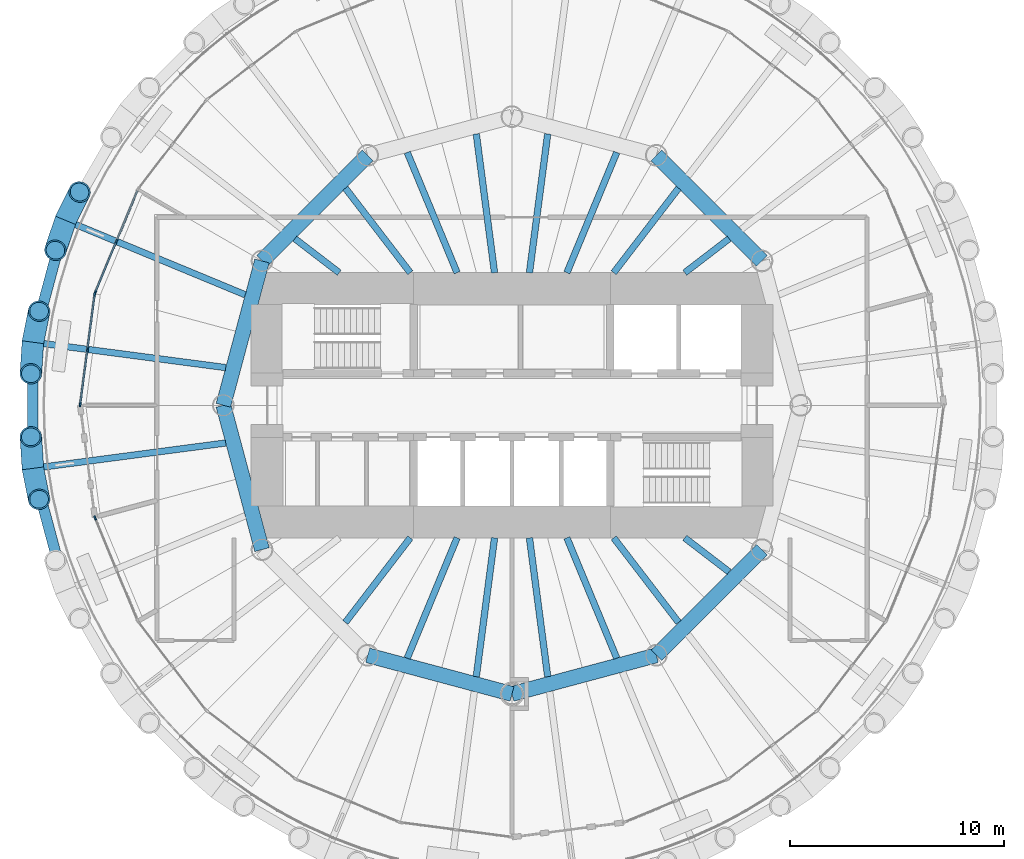
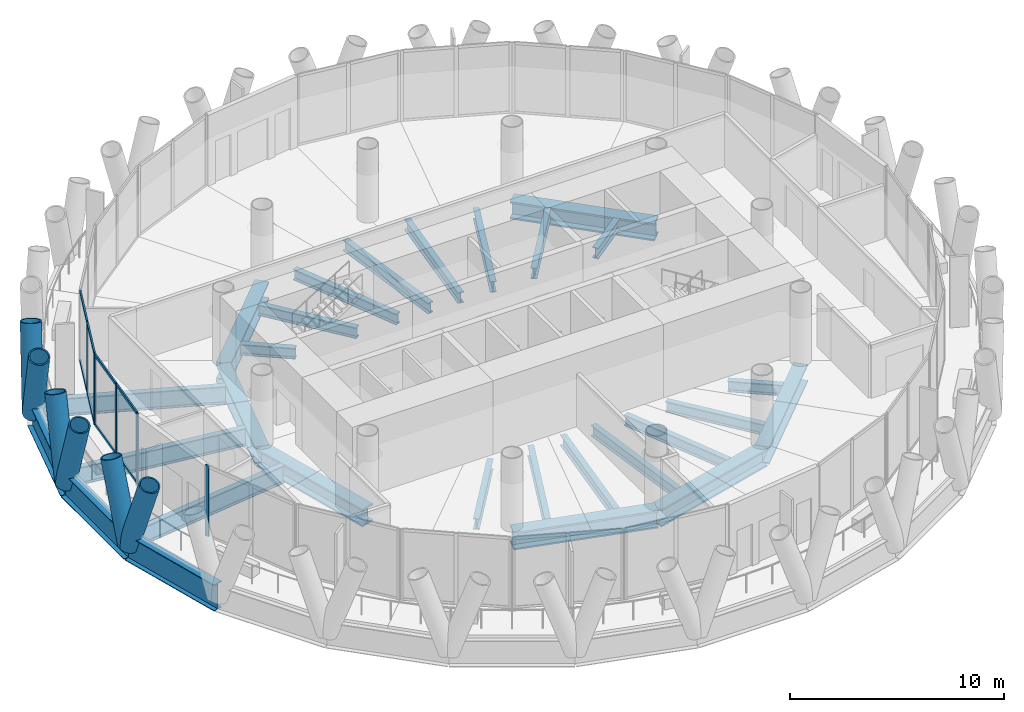
# One storey, part 3 of 13: 28 beams, 20 members, 3 elements without a shape of their own.
"""IFC4 building model written with IfcOpenShell, lengths in metres."""

from ifc_helpers import new_model, si_unit, direction, frame, origin, origin_2d, place, context, subcontext, project, spatial, rectangle, hollow_circle, i_section, extrude, material, material_profile, profile_set, type_object, element, aggregate, save


model = new_model("IFC4")

# Units and contexts
model_context = context("Model", 3, precision=1e-05, world=origin(), true_north=direction((0.0, 1.0)))
body_context = subcontext(model_context, "Body", "Model", "MODEL_VIEW")
ifc_project = project(units=[si_unit("LENGTHUNIT", "METRE"), si_unit("AREAUNIT", "SQUARE_METRE"), si_unit("VOLUMEUNIT", "CUBIC_METRE"), si_unit("PLANEANGLEUNIT", "RADIAN"), si_unit("MASSUNIT", "GRAM", prefix="KILO")], contexts=[model_context])

# Site, building, storey
site_placement = place(None, origin())
site = spatial("IfcSite", under=ifc_project, at=site_placement, CompositionType="ELEMENT")
building_placement = place(site_placement, origin())
building = spatial("IfcBuilding", under=site, at=building_placement, Name="Qaws Media Tower", CompositionType="ELEMENT")
storey_placement = place(building_placement, frame((0.0, 0.0, 219.199951171875)))
storey = spatial("IfcBuildingStorey", under=building, at=storey_placement, Name="L50", CompositionType="ELEMENT", Elevation=219.199951171875)

# Curtain wall, members
ifc_material_1 = material(Name="Aluminium and clear glass", Category="aluminium")
curtain_wall_type = type_object("IfcCurtainWallType", Name="Unitised curtain wall CW-C", PredefinedType="NOTDEFINED", material=ifc_material_1)
curtain_wall_1_placement = place(storey_placement, origin())
curtain_wall_1 = element("IfcCurtainWall", 1, at=curtain_wall_1_placement, inside=storey, type_object=curtain_wall_type, Name="CWC curtain wall L50-11", PredefinedType="NOTDEFINED")
ifc_material_2 = material(Name="Aluminium mullion", Category="aluminium")
ifc_material_profile_1 = material_profile(ifc_material_2, rectangle(XDim=0.080078125, YDim=0.199951171875, at=origin_2d()), Name="80x200")
ifc_profile_set_1 = profile_set([ifc_material_profile_1], Name="Aluminium mullion")
member_type_1 = type_object("IfcMemberType", Name="Curtain wall mullion 80x200", PredefinedType="MULLION", material=ifc_profile_set_1)
member_1_placement = place(storey_placement, frame((41.497314453125, 57.6640625, 0.0), z_axis=(0.0, 0.0, 1.0), x_axis=(0.923879493285, -0.382683527066, 0.0)))
member_1 = element("IfcMember", 2, at=member_1_placement, type_object=member_type_1, Name="CWC mullion 2", PredefinedType="MULLION", context=body_context, shape_type="SweptSolid", body=[
    extrude(rectangle(XDim=0.080078125, YDim=0.199951171875, at=origin_2d()), origin(), (0.0, 0.0, 1.0), 4.0400390625),
])
member_2_placement = place(storey_placement, frame((40.503662109375, 55.26513671875, 0.0), z_axis=(0.0, 0.0, 1.0), x_axis=(0.923879493285, -0.382683527066, 0.0)))
member_2 = element("IfcMember", 3, at=member_2_placement, type_object=member_type_1, Name="CWC mullion 3", PredefinedType="MULLION", context=body_context, shape_type="SweptSolid", body=[
    extrude(rectangle(XDim=0.080078125, YDim=0.199951171875, at=origin_2d()), origin(), (0.0, 0.0, 1.0), 4.0400390625),
])

curtain_wall_2_placement = place(storey_placement, origin())
curtain_wall_2 = element("IfcCurtainWall", 4, at=curtain_wall_2_placement, inside=storey, type_object=curtain_wall_type, Name="CWC curtain wall L50-12", PredefinedType="NOTDEFINED")
member_3_placement = place(storey_placement, frame((40.483154296875, 55.1884765625, 0.0), z_axis=(0.0, 0.0, 1.0), x_axis=(0.991444869889, -0.130526127538, 0.0)))
member_3 = element("IfcMember", 5, at=member_3_placement, type_object=member_type_1, Name="CWC mullion 1", PredefinedType="MULLION", context=body_context, shape_type="SweptSolid", body=[
    extrude(rectangle(XDim=0.080078125, YDim=0.199951171875, at=origin_2d()), origin(), (0.0, 0.0, 1.0), 4.0400390625),
])
member_4_placement = place(storey_placement, frame((40.14404296875, 52.614013671875, 0.0), z_axis=(0.0, 0.0, 1.0), x_axis=(0.991444869889, -0.130526127538, 0.0)))
member_4 = element("IfcMember", 6, at=member_4_placement, type_object=member_type_1, Name="CWC mullion 2", PredefinedType="MULLION", context=body_context, shape_type="SweptSolid", body=[
    extrude(rectangle(XDim=0.080078125, YDim=0.199951171875, at=origin_2d()), origin(), (0.0, 0.0, 1.0), 4.0400390625),
])
member_5_placement = place(storey_placement, frame((39.80517578125, 50.03955078125, 0.0), z_axis=(0.0, 0.0, 1.0), x_axis=(0.991444869889, -0.130526127538, 0.0)))
member_5 = element("IfcMember", 7, at=member_5_placement, type_object=member_type_1, Name="CWC mullion 3", PredefinedType="MULLION", context=body_context, shape_type="SweptSolid", body=[
    extrude(rectangle(XDim=0.080078125, YDim=0.199951171875, at=origin_2d()), origin(), (0.0, 0.0, 1.0), 4.0400390625),
])

# Curtain wall, member
curtain_wall_3_placement = place(storey_placement, origin())
curtain_wall_3 = element("IfcCurtainWall", 8, at=curtain_wall_3_placement, inside=storey, type_object=curtain_wall_type, Name="CWC curtain wall L50-14", PredefinedType="NOTDEFINED")
member_6_placement = place(storey_placement, frame((40.503662109375, 44.73486328125, 0.0), z_axis=(0.0, 0.0, 1.0), x_axis=(0.923879493285, 0.382683527066, 0.0)))
member_6 = element("IfcMember", 9, at=member_6_placement, type_object=member_type_1, Name="CWC mullion 1", PredefinedType="MULLION", context=body_context, shape_type="SweptSolid", body=[
    extrude(rectangle(XDim=0.080078125, YDim=0.199951171875, at=origin_2d()), origin(), (0.0, 0.0, 1.0), 4.0400390625),
])
aggregate(curtain_wall_3, [member_6])

# Member
ifc_material_3 = material(Name="Aluminium transom", Category="aluminium")
ifc_material_profile_2 = material_profile(ifc_material_3, rectangle(XDim=0.080078125, YDim=0.159912109375, at=origin_2d()), Name="80x160")
ifc_profile_set_2 = profile_set([ifc_material_profile_2], Name="Aluminium transom")
member_type_2 = type_object("IfcMemberType", Name="Curtain wall transom 80x160", PredefinedType="USERDEFINED", material=ifc_profile_set_2)
member_7_placement = place(storey_placement, frame((42.4755859375, 60.026123046875, 0.0400390625), z_axis=(-0.382603115355, -0.923912796816, 0.0), x_axis=(0.923912796816, -0.382603115355, 0.0)))
member_7 = element("IfcMember", 10, at=member_7_placement, type_object=member_type_2, Name="CWC transom 1.1", ObjectType="TRANSOM", PredefinedType="USERDEFINED", context=body_context, shape_type="SweptSolid", body=[
    extrude(rectangle(XDim=0.080078125, YDim=0.159912109375, at=origin_2d()), origin(), (0.0, 0.0, 1.0), 2.5166015625),
])

member_8_placement = place(storey_placement, frame((42.4755859375, 60.026123046875, 4.0), z_axis=(-0.382603115355, -0.923912796816, 0.0), x_axis=(0.923912796816, -0.382603115355, 0.0)))
member_8 = element("IfcMember", 11, at=member_8_placement, type_object=member_type_2, Name="CWC transom 1.2", ObjectType="TRANSOM", PredefinedType="USERDEFINED", context=body_context, shape_type="SweptSolid", body=[
    extrude(rectangle(XDim=0.080078125, YDim=0.159912109375, at=origin_2d()), origin(), (0.0, 0.0, 1.0), 2.5166015625),
])

member_9_placement = place(storey_placement, frame((41.48193359375, 57.627197265625, 0.0400390625), z_axis=(-0.382685918986, -0.923878502515, 0.0), x_axis=(0.923878502515, -0.382685918986, 0.0)))
member_9 = element("IfcMember", 12, at=member_9_placement, type_object=member_type_2, Name="CWC transom 2.1", ObjectType="TRANSOM", PredefinedType="USERDEFINED", context=body_context, shape_type="SweptSolid", body=[
    extrude(rectangle(XDim=0.080078125, YDim=0.159912109375, at=origin_2d()), origin(), (0.0, 0.0, 1.0), 2.516845703125),
])

member_10_placement = place(storey_placement, frame((41.48193359375, 57.627197265625, 4.0), z_axis=(-0.382685918986, -0.923878502515, 0.0), x_axis=(0.923878502515, -0.382685918986, 0.0)))
member_10 = element("IfcMember", 13, at=member_10_placement, type_object=member_type_2, Name="CWC transom 2.2", ObjectType="TRANSOM", PredefinedType="USERDEFINED", context=body_context, shape_type="SweptSolid", body=[
    extrude(rectangle(XDim=0.080078125, YDim=0.159912109375, at=origin_2d()), origin(), (0.0, 0.0, 1.0), 2.516845703125),
])

aggregate(curtain_wall_1, [member_1, member_2, member_7, member_8, member_9, member_10])

member_11_placement = place(storey_placement, frame((40.477783203125, 55.14892578125, 0.0400390625), z_axis=(-0.130479607238, -0.99145099329, 0.0), x_axis=(0.99145099329, -0.130479607238, 0.0)))
member_11 = element("IfcMember", 14, at=member_11_placement, type_object=member_type_2, Name="CWC transom 1.1", ObjectType="TRANSOM", PredefinedType="USERDEFINED", context=body_context, shape_type="SweptSolid", body=[
    extrude(rectangle(XDim=0.080078125, YDim=0.159912109375, at=origin_2d()), origin(), (0.0, 0.0, 1.0), 2.5166015625),
])

member_12_placement = place(storey_placement, frame((40.477783203125, 55.14892578125, 4.0), z_axis=(-0.130479607238, -0.99145099329, 0.0), x_axis=(0.99145099329, -0.130479607238, 0.0)))
member_12 = element("IfcMember", 15, at=member_12_placement, type_object=member_type_2, Name="CWC transom 1.2", ObjectType="TRANSOM", PredefinedType="USERDEFINED", context=body_context, shape_type="SweptSolid", body=[
    extrude(rectangle(XDim=0.080078125, YDim=0.159912109375, at=origin_2d()), origin(), (0.0, 0.0, 1.0), 2.5166015625),
])

member_13_placement = place(storey_placement, frame((40.138916015625, 52.574462890625, 0.0400390625), z_axis=(-0.130479607238, -0.99145099329, 0.0), x_axis=(0.99145099329, -0.130479607238, 0.0)))
member_13 = element("IfcMember", 16, at=member_13_placement, type_object=member_type_2, Name="CWC transom 2.1", ObjectType="TRANSOM", PredefinedType="USERDEFINED", context=body_context, shape_type="SweptSolid", body=[
    extrude(rectangle(XDim=0.080078125, YDim=0.159912109375, at=origin_2d()), origin(), (0.0, 0.0, 1.0), 2.5166015625),
])

member_14_placement = place(storey_placement, frame((40.138916015625, 52.574462890625, 4.0), z_axis=(-0.130479607238, -0.99145099329, 0.0), x_axis=(0.99145099329, -0.130479607238, 0.0)))
member_14 = element("IfcMember", 17, at=member_14_placement, type_object=member_type_2, Name="CWC transom 2.2", ObjectType="TRANSOM", PredefinedType="USERDEFINED", context=body_context, shape_type="SweptSolid", body=[
    extrude(rectangle(XDim=0.080078125, YDim=0.159912109375, at=origin_2d()), origin(), (0.0, 0.0, 1.0), 2.5166015625),
])

aggregate(curtain_wall_2, [member_3, member_4, member_5, member_11, member_12, member_13, member_14])

# Members
ifc_material_4 = material(Name="Steel S460", Category="steel")
ifc_material_profile_3 = material_profile(ifc_material_4, hollow_circle(Radius=0.508056640625, WallThickness=0.070068359375, at=origin_2d()), Name="CHS 1016x70")
ifc_profile_set_3 = profile_set([ifc_material_profile_3], Name="Steel S460")
member_type_3 = type_object("IfcMemberType", Name="Diagrid member CHS 1016x70", PredefinedType="USERDEFINED", material=ifc_profile_set_3)
for number, where, z_axis, x_axis, name in (
    (18, (39.120361328125, 58.648681640625, -0.909912109375), (-0.106375727673, -0.314466390826, 0.943289506781), (0.947269973366, -0.320436573379, 0.0), "DG3 diagrid L50 A11"),
    (19, (39.120361328125, 58.648681640625, -0.909912109375), (0.147170845427, 0.297576817485, 0.943286160161), (-0.896367681621, 0.44331137967, 0.0), "DG3 diagrid L50 B11"),
    (20, (37.59326171875, 52.949951171875, -0.909912109375), (-0.02132987385, -0.331298451935, 0.943284883918), (0.997933857984, -0.064249631042, 0.0), "DG3 diagrid L50 A12"),
    (21, (37.59326171875, 52.949951171875, -0.909912109375), (0.065142050269, 0.325490917844, 0.943298561267), (-0.980555253938, 0.196243201091, 0.0), "DG3 diagrid L50 B12"),
    (22, (37.59326171875, 47.050048828125, -0.909912109375), (0.065142050269, -0.325490917844, 0.943298561267), (0.980555253938, 0.196243201091, 0.0), "DG3 diagrid L50 A13"),
    (23, (37.59326171875, 47.050048828125, -0.909912109375), (-0.02132987385, 0.331298451935, 0.943284883918), (-0.997933857984, -0.064249631042, 0.0), "DG3 diagrid L50 B13"),
):
    element("IfcMember", number, at=place(storey_placement, frame(where, z_axis=z_axis, x_axis=x_axis)), inside=storey, type_object=member_type_3, Name=name, ObjectType="DIAGRID", PredefinedType="USERDEFINED", context=body_context, shape_type="SweptSolid", body=[
        extrude(hollow_circle(Radius=0.508056640625, WallThickness=0.070068359375, at=origin_2d()), origin(), (0.0, 0.0, 1.0), 4.452392578125),
    ])

# Beams
ifc_material_5 = material(Name="Steel S460", Category="steel")
ifc_material_profile_4 = material_profile(ifc_material_5, i_section(OverallWidth=0.5, OverallDepth=1.5, WebThickness=0.02001953125, FlangeThickness=0.0400390625, at=origin_2d()), Name="PG 1500x500")
ifc_profile_set_4 = profile_set([ifc_material_profile_4], Name="Steel S460")
beam_type_1 = type_object("IfcBeamType", Name="Edge ring beam PG 1500x500", PredefinedType="BEAM", material=ifc_profile_set_4)
for number, where, z_axis, x_axis, name in (
    (24, (39.120361328125, 58.648681640625, -0.909912109375), (-0.258839506001, -0.965920343576, 0.0), (0.965920343576, -0.258839506001, 0.0), "RB4 edge ring beam L50-11"),
    (25, (37.59326171875, 52.949951171875, -0.909912109375), (0.0, -1.0, 0.0), (1.0, 0.0, 0.0), "RB4 edge ring beam L50-12"),
    (26, (37.59326171875, 47.050048828125, -0.909912109375), (0.258839506001, -0.965920343576, 0.0), (0.965920343576, 0.258839506001, 0.0), "RB4 edge ring beam L50-13"),
):
    element("IfcBeam", number, at=place(storey_placement, frame(where, z_axis=z_axis, x_axis=x_axis)), inside=storey, type_object=beam_type_1, Name=name, PredefinedType="BEAM", context=body_context, shape_type="SweptSolid", body=[
        extrude(i_section(OverallWidth=0.5, OverallDepth=1.5, WebThickness=0.02001953125, FlangeThickness=0.0400390625, at=origin_2d()), origin(), (0.0, 0.0, 1.0), 5.89990234375),
    ])
ifc_material_6 = material(Name="Steel S460", Category="steel")
ifc_material_profile_5 = material_profile(ifc_material_6, i_section(OverallWidth=0.699951171875, OverallDepth=1.0, WebThickness=0.034912109375, FlangeThickness=0.090087890625, at=origin_2d()), Name="PG 1000x700")
ifc_profile_set_5 = profile_set([ifc_material_profile_5], Name="Steel S460")
beam_type_2 = type_object("IfcBeamType", Name="Inner ring girder PG 1000x700", PredefinedType="BEAM", material=ifc_profile_set_5)
for number, where, z_axis, x_axis, name in (
    (27, (71.69140625, 56.75, -0.659912109375), (-0.707106781187, 0.707106781187, 0.0), (-0.707106781187, -0.707106781187, 0.0), "B3 inner ring beam L50 I02-I03"),
    (28, (53.25, 61.69140625, -0.659912109375), (-0.707106781187, -0.707106781187, 0.0), (0.707106781187, -0.707106781187, 0.0), "B3 inner ring beam L50 I05-I06"),
):
    element("IfcBeam", number, at=place(storey_placement, frame(where, z_axis=z_axis, x_axis=x_axis)), inside=storey, type_object=beam_type_2, Name=name, PredefinedType="BEAM", context=body_context, shape_type="SweptSolid", body=[
        extrude(i_section(OverallWidth=0.699951171875, OverallDepth=1.0, WebThickness=0.034912109375, FlangeThickness=0.090087890625, at=origin_2d()), origin(), (0.0, 0.0, 1.0), 6.98828125),
    ])
for number, where, z_axis, x_axis, name in (
    (29, (48.30859375, 56.75, -0.659912109375), (-0.258810593767, -0.965928090778, 0.0), (0.965928090778, -0.258810593767, 0.0), "B3 inner ring beam L50 I06-I07"),
    (30, (46.5, 50.0, -0.659912109375), (0.258810593767, -0.965928090778, 0.0), (0.965928090778, 0.258810593767, 0.0), "B3 inner ring beam L50 I07-I08"),
    (31, (53.25, 38.30859375, -0.659912109375), (0.965928090778, -0.258810593767, 0.0), (0.258810593767, 0.965928090778, 0.0), "B3 inner ring beam L50 I09-I10"),
    (32, (60.0, 36.5, -0.659912109375), (0.965928090778, 0.258810593767, 0.0), (-0.258810593767, 0.965928090778, 0.0), "B3 inner ring beam L50 I10-I11"),
):
    element("IfcBeam", number, at=place(storey_placement, frame(where, z_axis=z_axis, x_axis=x_axis)), inside=storey, type_object=beam_type_2, Name=name, PredefinedType="BEAM", context=body_context, shape_type="SweptSolid", body=[
        extrude(i_section(OverallWidth=0.699951171875, OverallDepth=1.0, WebThickness=0.034912109375, FlangeThickness=0.090087890625, at=origin_2d()), origin(), (0.0, 0.0, 1.0), 6.988037109375),
    ])
beam_1_placement = place(storey_placement, frame((66.75, 38.30859375, -0.659912109375), z_axis=(0.707106781187, 0.707106781187, 0.0), x_axis=(-0.707106781187, 0.707106781187, 0.0)))
element("IfcBeam", 33, at=beam_1_placement, inside=storey, type_object=beam_type_2, Name="B3 inner ring beam L50 I11-I12", PredefinedType="BEAM", context=body_context, shape_type="SweptSolid", body=[
    extrude(i_section(OverallWidth=0.699951171875, OverallDepth=1.0, WebThickness=0.034912109375, FlangeThickness=0.090087890625, at=origin_2d()), origin(), (0.0, 0.0, 1.0), 6.98828125),
])
ifc_material_7 = material(Name="Steel S355", Category="steel")
ifc_material_profile_6 = material_profile(ifc_material_7, i_section(OverallWidth=0.302001953125, OverallDepth=1.008056640625, WebThickness=0.02099609375, FlangeThickness=0.0400390625, FilletRadius=0.030029296875, at=origin_2d()), Name="HE 1000 M")
ifc_profile_set_6 = profile_set([ifc_material_profile_6], Name="Steel S355")
beam_type_3 = type_object("IfcBeamType", Name="Radial beam HE 1000 M", PredefinedType="BEAM", material=ifc_profile_set_6)
beam_2_placement = place(storey_placement, frame((47.5224609375, 55.16845703125, -0.6640625), z_axis=(-0.923881048722, 0.382679771888, 0.0), x_axis=(-0.382679771888, -0.923881048722, 0.0)))
element("IfcBeam", 34, at=beam_2_placement, inside=storey, type_object=beam_type_3, Name="B1 radial beam L50 11", PredefinedType="BEAM", context=body_context, shape_type="SweptSolid", body=[
    extrude(i_section(OverallWidth=0.302001953125, OverallDepth=1.008056640625, WebThickness=0.02099609375, FlangeThickness=0.0400390625, FilletRadius=0.030029296875, at=origin_2d()), origin(), (0.0, 0.0, 1.0), 9.09423828125),
])
for number, where, z_axis, x_axis, name in (
    (35, (46.610107421875, 51.762939453125, -0.6640625), (-0.991445978877, 0.130517703661, 0.0), (-0.130517703661, -0.991445978877, 0.0), "B1 radial beam L50 12"),
    (36, (46.610107421875, 48.237060546875, -0.6640625), (-0.991445978877, -0.130517703661, 0.0), (0.130517703661, -0.991445978877, 0.0), "B1 radial beam L50 13"),
):
    element("IfcBeam", number, at=place(storey_placement, frame(where, z_axis=z_axis, x_axis=x_axis)), inside=storey, type_object=beam_type_3, Name=name, PredefinedType="BEAM", context=body_context, shape_type="SweptSolid", body=[
        extrude(i_section(OverallWidth=0.302001953125, OverallDepth=1.008056640625, WebThickness=0.02099609375, FlangeThickness=0.0400390625, FilletRadius=0.030029296875, at=origin_2d()), origin(), (0.0, 0.0, 1.0), 9.0947265625),
    ])
ifc_material_8 = material(Name="Steel S355", Category="steel")
ifc_material_profile_7 = material_profile(ifc_material_8, i_section(OverallWidth=0.304931640625, OverallDepth=0.6201171875, WebThickness=0.02099609375, FlangeThickness=0.0400390625, FilletRadius=0.027099609375, at=origin_2d()), Name="HE 600 M")
ifc_profile_set_7 = profile_set([ifc_material_profile_7], Name="Steel S355")
beam_type_4 = type_object("IfcBeamType", Name="Radial beam HE 600 M, core side", PredefinedType="BEAM", material=ifc_profile_set_7)
beam_3_placement = place(storey_placement, frame((68.080078125, 56.199951171875, -0.469970703125), z_axis=(0.793352321936, 0.608762756152, 0.0), x_axis=(-0.608762756152, 0.793352321936, 0.0)))
element("IfcBeam", 37, at=beam_3_placement, inside=storey, type_object=beam_type_4, Name="B2 radial beam L50 03", PredefinedType="BEAM", context=body_context, shape_type="SweptSolid", body=[
    extrude(i_section(OverallWidth=0.304931640625, OverallDepth=0.6201171875, WebThickness=0.02099609375, FlangeThickness=0.0400390625, FilletRadius=0.027099609375, at=origin_2d()), origin(), (0.0, 0.0, 1.0), 2.61474609375),
])
beam_4_placement = place(storey_placement, frame((64.75732421875, 56.199951171875, -0.469970703125), z_axis=(0.60875641792, 0.79335718541, 0.0), x_axis=(-0.79335718541, 0.60875641792, 0.0)))
element("IfcBeam", 38, at=beam_4_placement, inside=storey, type_object=beam_type_4, Name="B2 radial beam L50 04", PredefinedType="BEAM", context=body_context, shape_type="SweptSolid", body=[
    extrude(i_section(OverallWidth=0.304931640625, OverallDepth=0.6201171875, WebThickness=0.02099609375, FlangeThickness=0.0400390625, FilletRadius=0.027099609375, at=origin_2d()), origin(), (0.0, 0.0, 1.0), 4.984619140625),
])
beam_5_placement = place(storey_placement, frame((62.568115234375, 56.199951171875, -0.469970703125), z_axis=(0.38268703658, 0.923878039588, 0.0), x_axis=(-0.923878039588, 0.38268703658, 0.0)))
element("IfcBeam", 39, at=beam_5_placement, inside=storey, type_object=beam_type_4, Name="B2 radial beam L50 05", PredefinedType="BEAM", context=body_context, shape_type="SweptSolid", body=[
    extrude(i_section(OverallWidth=0.304931640625, OverallDepth=0.6201171875, WebThickness=0.02099609375, FlangeThickness=0.0400390625, FilletRadius=0.027099609375, at=origin_2d()), origin(), (0.0, 0.0, 1.0), 6.088623046875),
])
for number, where, z_axis, x_axis, name in (
    (40, (60.816162109375, 56.199951171875, -0.469970703125), (0.130536517951, 0.991443501911, 0.0), (-0.991443501911, 0.130536517951, 0.0), "B2 radial beam L50 06"),
    (41, (59.183837890625, 56.199951171875, -0.469970703125), (-0.130536517951, 0.991443501911, 0.0), (-0.991443501911, -0.130536517951, 0.0), "B2 radial beam L50 07"),
):
    element("IfcBeam", number, at=place(storey_placement, frame(where, z_axis=z_axis, x_axis=x_axis)), inside=storey, type_object=beam_type_4, Name=name, PredefinedType="BEAM", context=body_context, shape_type="SweptSolid", body=[
        extrude(i_section(OverallWidth=0.304931640625, OverallDepth=0.6201171875, WebThickness=0.02099609375, FlangeThickness=0.0400390625, FilletRadius=0.027099609375, at=origin_2d()), origin(), (0.0, 0.0, 1.0), 6.5458984375),
    ])
beam_6_placement = place(storey_placement, frame((57.431884765625, 56.199951171875, -0.469970703125), z_axis=(-0.38268703658, 0.923878039588, 0.0), x_axis=(-0.923878039588, -0.38268703658, 0.0)))
element("IfcBeam", 42, at=beam_6_placement, inside=storey, type_object=beam_type_4, Name="B2 radial beam L50 08", PredefinedType="BEAM", context=body_context, shape_type="SweptSolid", body=[
    extrude(i_section(OverallWidth=0.304931640625, OverallDepth=0.6201171875, WebThickness=0.02099609375, FlangeThickness=0.0400390625, FilletRadius=0.027099609375, at=origin_2d()), origin(), (0.0, 0.0, 1.0), 6.088623046875),
])
beam_7_placement = place(storey_placement, frame((55.24267578125, 56.199951171875, -0.469970703125), z_axis=(-0.60875641792, 0.79335718541, 0.0), x_axis=(-0.79335718541, -0.60875641792, 0.0)))
element("IfcBeam", 43, at=beam_7_placement, inside=storey, type_object=beam_type_4, Name="B2 radial beam L50 09", PredefinedType="BEAM", context=body_context, shape_type="SweptSolid", body=[
    extrude(i_section(OverallWidth=0.304931640625, OverallDepth=0.6201171875, WebThickness=0.02099609375, FlangeThickness=0.0400390625, FilletRadius=0.027099609375, at=origin_2d()), origin(), (0.0, 0.0, 1.0), 4.984619140625),
])
beam_8_placement = place(storey_placement, frame((51.919921875, 56.199951171875, -0.469970703125), z_axis=(-0.793352321936, 0.608762756152, 0.0), x_axis=(-0.608762756152, -0.793352321936, 0.0)))
element("IfcBeam", 44, at=beam_8_placement, inside=storey, type_object=beam_type_4, Name="B2 radial beam L50 10", PredefinedType="BEAM", context=body_context, shape_type="SweptSolid", body=[
    extrude(i_section(OverallWidth=0.304931640625, OverallDepth=0.6201171875, WebThickness=0.02099609375, FlangeThickness=0.0400390625, FilletRadius=0.027099609375, at=origin_2d()), origin(), (0.0, 0.0, 1.0), 2.61474609375),
])
beam_9_placement = place(storey_placement, frame((55.24267578125, 43.800048828125, -0.469970703125), z_axis=(-0.60875641792, -0.79335718541, 0.0), x_axis=(0.79335718541, -0.60875641792, 0.0)))
element("IfcBeam", 45, at=beam_9_placement, inside=storey, type_object=beam_type_4, Name="B2 radial beam L50 16", PredefinedType="BEAM", context=body_context, shape_type="SweptSolid", body=[
    extrude(i_section(OverallWidth=0.304931640625, OverallDepth=0.6201171875, WebThickness=0.02099609375, FlangeThickness=0.0400390625, FilletRadius=0.027099609375, at=origin_2d()), origin(), (0.0, 0.0, 1.0), 4.984619140625),
])
beam_10_placement = place(storey_placement, frame((57.431884765625, 43.800048828125, -0.469970703125), z_axis=(-0.38268703658, -0.923878039588, 0.0), x_axis=(0.923878039588, -0.38268703658, 0.0)))
element("IfcBeam", 46, at=beam_10_placement, inside=storey, type_object=beam_type_4, Name="B2 radial beam L50 17", PredefinedType="BEAM", context=body_context, shape_type="SweptSolid", body=[
    extrude(i_section(OverallWidth=0.304931640625, OverallDepth=0.6201171875, WebThickness=0.02099609375, FlangeThickness=0.0400390625, FilletRadius=0.027099609375, at=origin_2d()), origin(), (0.0, 0.0, 1.0), 6.088623046875),
])
for number, where, z_axis, x_axis, name in (
    (47, (59.183837890625, 43.800048828125, -0.469970703125), (-0.130536517951, -0.991443501911, 0.0), (0.991443501911, -0.130536517951, 0.0), "B2 radial beam L50 18"),
    (48, (60.816162109375, 43.800048828125, -0.469970703125), (0.130536517951, -0.991443501911, 0.0), (0.991443501911, 0.130536517951, 0.0), "B2 radial beam L50 19"),
):
    element("IfcBeam", number, at=place(storey_placement, frame(where, z_axis=z_axis, x_axis=x_axis)), inside=storey, type_object=beam_type_4, Name=name, PredefinedType="BEAM", context=body_context, shape_type="SweptSolid", body=[
        extrude(i_section(OverallWidth=0.304931640625, OverallDepth=0.6201171875, WebThickness=0.02099609375, FlangeThickness=0.0400390625, FilletRadius=0.027099609375, at=origin_2d()), origin(), (0.0, 0.0, 1.0), 6.5458984375),
    ])
beam_11_placement = place(storey_placement, frame((62.568115234375, 43.800048828125, -0.469970703125), z_axis=(0.38268703658, -0.923878039588, 0.0), x_axis=(0.923878039588, 0.38268703658, 0.0)))
element("IfcBeam", 49, at=beam_11_placement, inside=storey, type_object=beam_type_4, Name="B2 radial beam L50 20", PredefinedType="BEAM", context=body_context, shape_type="SweptSolid", body=[
    extrude(i_section(OverallWidth=0.304931640625, OverallDepth=0.6201171875, WebThickness=0.02099609375, FlangeThickness=0.0400390625, FilletRadius=0.027099609375, at=origin_2d()), origin(), (0.0, 0.0, 1.0), 6.088623046875),
])
beam_12_placement = place(storey_placement, frame((64.75732421875, 43.800048828125, -0.469970703125), z_axis=(0.60875641792, -0.79335718541, 0.0), x_axis=(0.79335718541, 0.60875641792, 0.0)))
element("IfcBeam", 50, at=beam_12_placement, inside=storey, type_object=beam_type_4, Name="B2 radial beam L50 21", PredefinedType="BEAM", context=body_context, shape_type="SweptSolid", body=[
    extrude(i_section(OverallWidth=0.304931640625, OverallDepth=0.6201171875, WebThickness=0.02099609375, FlangeThickness=0.0400390625, FilletRadius=0.027099609375, at=origin_2d()), origin(), (0.0, 0.0, 1.0), 4.984619140625),
])
beam_13_placement = place(storey_placement, frame((68.080078125, 43.800048828125, -0.469970703125), z_axis=(0.793352321936, -0.608762756152, 0.0), x_axis=(0.608762756152, 0.793352321936, 0.0)))
element("IfcBeam", 51, at=beam_13_placement, inside=storey, type_object=beam_type_4, Name="B2 radial beam L50 22", PredefinedType="BEAM", context=body_context, shape_type="SweptSolid", body=[
    extrude(i_section(OverallWidth=0.304931640625, OverallDepth=0.6201171875, WebThickness=0.02099609375, FlangeThickness=0.0400390625, FilletRadius=0.027099609375, at=origin_2d()), origin(), (0.0, 0.0, 1.0), 2.61474609375),
])

save(model, "model.ifc")
